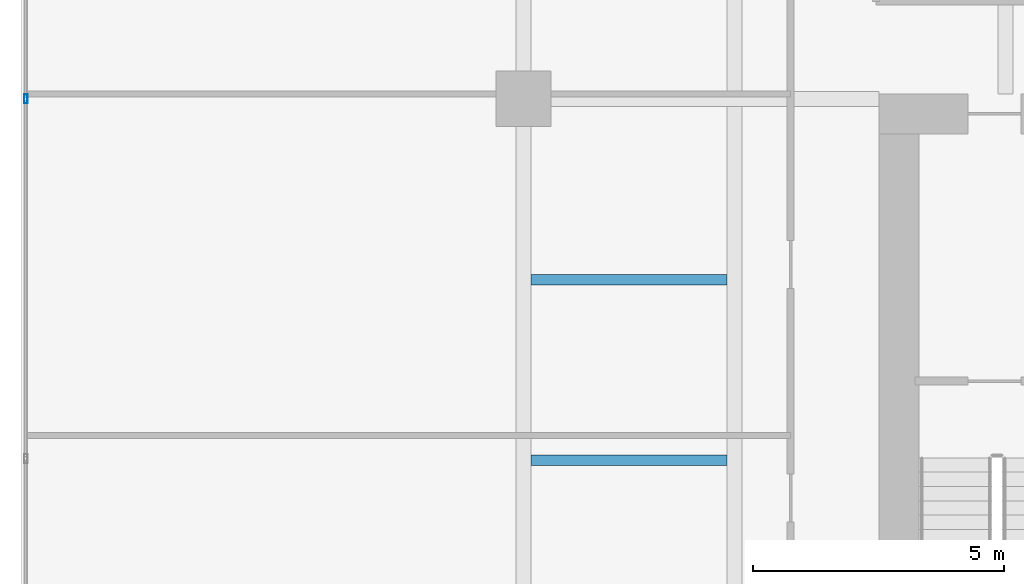
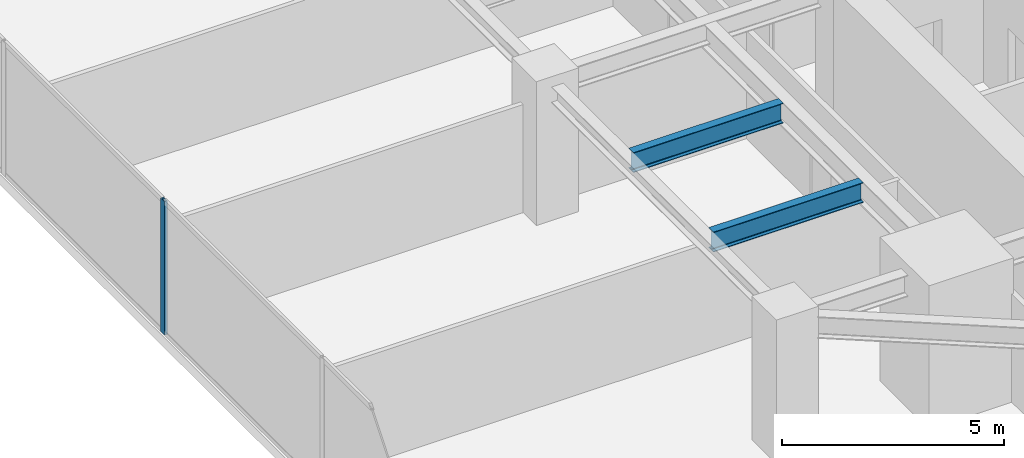
# One storey, part 8 of 28: 2 beams, 1 member, 1 element without a shape of its own.
"""IFC4 building model written with IfcOpenShell, lengths in metres."""

from ifc_helpers import new_model, si_unit, direction, frame, origin, origin_2d, place, context, subcontext, project, spatial, hollow_rectangle, i_section, extrude, source, transform, mapped, material, material_profile, profile_set, type_object, type_shapes, element, aggregate, save


model = new_model("IFC4")

# Units and contexts
model_context = context("Model", 3, precision=1e-05, world=origin(), true_north=direction((0.0, 1.0)))
body_context = subcontext(model_context, "Body", "Model", "MODEL_VIEW")
ifc_project = project(units=[si_unit("LENGTHUNIT", "METRE"), si_unit("AREAUNIT", "SQUARE_METRE"), si_unit("VOLUMEUNIT", "CUBIC_METRE"), si_unit("PLANEANGLEUNIT", "RADIAN"), si_unit("MASSUNIT", "GRAM", prefix="KILO")], contexts=[model_context])

# Site, building, storey
site_placement = place(None, origin())
site = spatial("IfcSite", under=ifc_project, at=site_placement, CompositionType="ELEMENT")
building_placement = place(site_placement, origin())
building = spatial("IfcBuilding", under=site, at=building_placement, Name="Krantzveldt Concourse Tower", CompositionType="ELEMENT")
storey_placement = place(building_placement, frame((0.0, 0.0, 32.89990234375)))
storey = spatial("IfcBuildingStorey", under=building, at=storey_placement, Name="L07", CompositionType="ELEMENT", Elevation=32.89990234375)

# Beams
ifc_material_1 = material(Name="Steel S355JR", Category="steel")
ifc_material_profile_1 = material_profile(ifc_material_1, i_section(OverallWidth=0.2099609375, OverallDepth=0.550048828125, WebThickness=0.010986328125, FlangeThickness=0.01708984375, FilletRadius=0.02392578125, at=origin_2d()), Name="Steel S355JR", Category="steel")
ifc_profile_set_1 = profile_set([ifc_material_profile_1], Name="Steel S355JR - IPE 550")
beam_type = type_object("IfcBeamType", Name="BM-J-IPE550", PredefinedType="JOIST", material=ifc_profile_set_1)
shared_shape_1 = source(origin(), body_context, "Body", "SweptSolid", [
    extrude(i_section(OverallWidth=0.2099609375, OverallDepth=0.550048828125, WebThickness=0.010986328125, FlangeThickness=0.01708984375, FilletRadius=0.02392578125, at=origin_2d()), origin(), (0.0, 0.0, 1.0), 3.900146484375),
])
type_shapes(beam_type, [shared_shape_1])
for number, where, z_axis, x_axis, name in (
    (1, (21.14990234375, 19.5, 3.39501953125), (1.0, 0.0, 0.0), (0.0, 1.0, 0.0), "L07 Secondary Floor Joist JW-1"),
    (2, (21.14990234375, 23.10009765625, 3.39501953125), (1.0, 0.0, 0.0), (0.0, 1.0, 0.0), "L07 Secondary Floor Joist JW-2"),
):
    element("IfcBeam", number, at=place(storey_placement, frame(where, z_axis=z_axis, x_axis=x_axis)), inside=storey, type_object=beam_type, Name=name, PredefinedType="JOIST", context=body_context, shape_type="MappedRepresentation", body=[
        mapped(shared_shape_1, transform((0.0, 0.0, 0.0), x_axis=(1.0, 0.0, 0.0), y_axis=(0.0, 1.0, 0.0), z_axis=(0.0, 0.0, 1.0), scale=1.0)),
    ])

# Curtain wall, member
ifc_material_2 = material(Name="Anodised aluminium 6063-T6", Category="aluminium")
curtain_wall_type = type_object("IfcCurtainWallType", Name="CW2", PredefinedType="USERDEFINED", material=ifc_material_2)
curtain_wall_placement = place(storey_placement, origin())
curtain_wall = element("IfcCurtainWall", 3, at=curtain_wall_placement, inside=storey, type_object=curtain_wall_type, Name="CW-L07-F01", ObjectType="UNITISED CURTAIN WALL", PredefinedType="USERDEFINED")
ifc_material_profile_2 = material_profile(ifc_material_2, hollow_rectangle(XDim=0.070068359375, YDim=0.179931640625, WallThickness=0.0048828125, at=origin_2d()), Name="Anodised aluminium 6063-T6", Category="aluminium")
ifc_profile_set_2 = profile_set([ifc_material_profile_2], Name="Anodised aluminium 6063-T6 - ALU-MULL 180x70x5")
member_type = type_object("IfcMemberType", Name="CW-MUL-180", PredefinedType="MULLION", material=ifc_profile_set_2)
shared_shape_2 = source(origin(), body_context, "Body", "SweptSolid", [
    extrude(hollow_rectangle(XDim=0.070068359375, YDim=0.179931640625, WallThickness=0.0048828125, at=origin_2d()), origin(), (0.0, 0.0, 1.0), 3.670166015625),
])
type_shapes(member_type, [shared_shape_2])
member_placement = place(storey_placement, frame((11.090087890625, 26.699951171875, 0.0), z_axis=(0.0, 0.0, 1.0), x_axis=(1.0, 0.0, 0.0)))
member = element("IfcMember", 4, at=member_placement, type_object=member_type, Name="CW-Z12 mullion 4", PredefinedType="MULLION", context=body_context, shape_type="MappedRepresentation", body=[
    mapped(shared_shape_2, transform((0.0, 0.0, 0.0), x_axis=(1.0, 0.0, 0.0), y_axis=(0.0, 1.0, 0.0), z_axis=(0.0, 0.0, 1.0), scale=1.0)),
])
aggregate(curtain_wall, [member])

save(model, "model.ifc")
